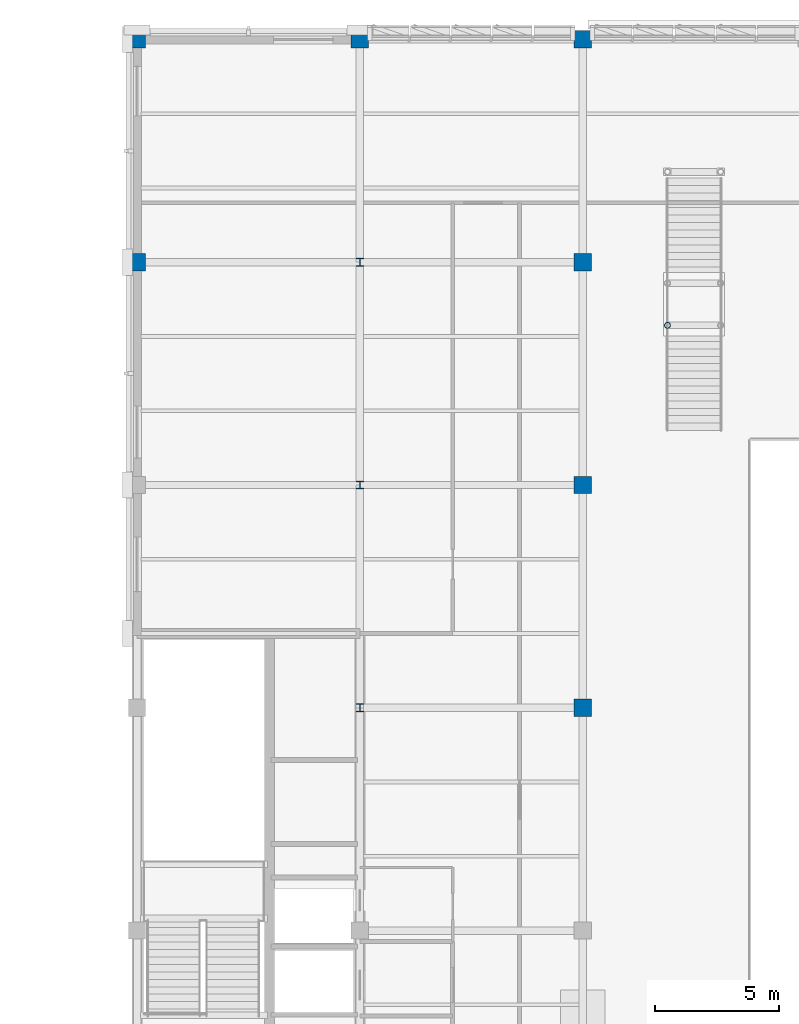
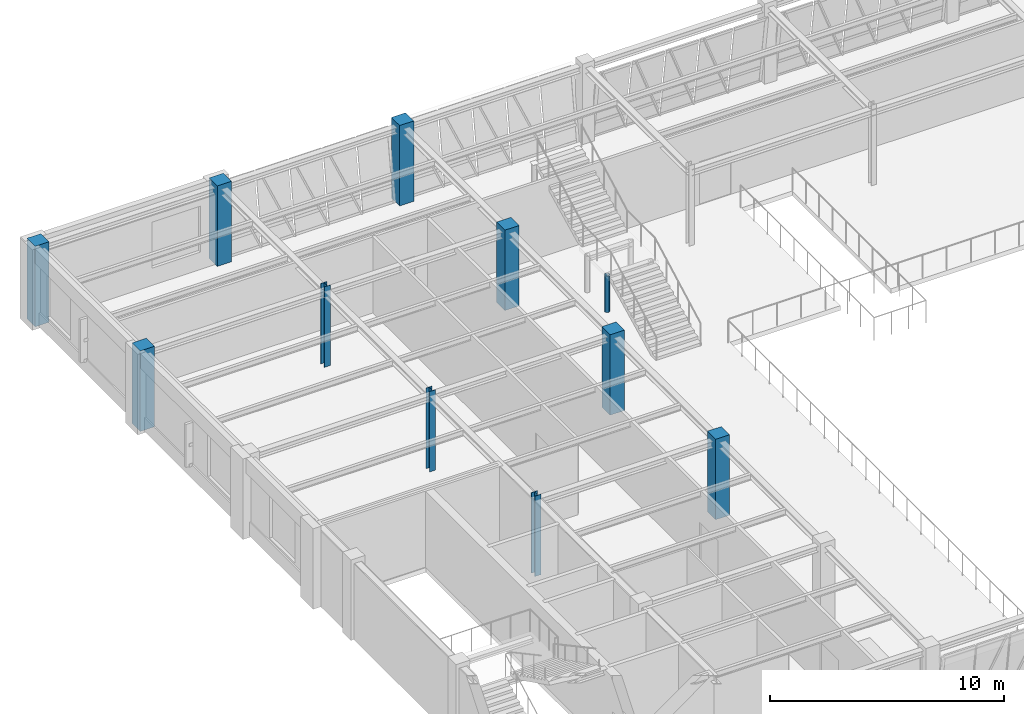
# One storey, part 8 of 108: 11 columns.
"""IFC4 building model written with IfcOpenShell, lengths in metres."""

import ifcopenshell
import ifcopenshell.guid

model = None  # the IFC model being written
_history = None  # IfcOwnerHistory: only IFC2X3 demands one
_inside = {}  # id of a spatial element -> (the spatial element, [elements in it])
_under = {}  # id of a project, library or spatial element -> (it, [spatial elements below it])
_declared = {}  # id of a project -> (the project, [libraries it declares])
_typed = {}  # id of a type object -> (the type object, [elements of that type])
_made_of = {}  # id of a material, layer set ... -> (it, [elements and type objects made of it])


def new_model(schema):
    """Start an empty IFC model of exactly this schema.

    Asked for "IFC4X3", IfcOpenShell would pick the latest addendum, in which some entities
    have other attributes; the version numbers below select the first issue.
    IFC2X3 requires an IfcOwnerHistory on every rooted entity: one is made here for all.
    """
    global model, _history
    if schema == "IFC4X3":
        model = ifcopenshell.file(schema_version=(4, 3, 0, 0))
    else:
        model = ifcopenshell.file(schema=schema)
    _inside.clear()
    _under.clear()
    _declared.clear()
    _typed.clear()
    _made_of.clear()
    _history = None
    if model.schema == "IFC2X3":
        org = make("IfcOrganization", Name="unknown")
        user = make(
            "IfcPersonAndOrganization",
            ThePerson=make("IfcPerson", FamilyName="unknown"),
            TheOrganization=org,
        )
        app = make(
            "IfcApplication",
            ApplicationDeveloper=org,
            Version="unknown",
            ApplicationFullName="unknown",
            ApplicationIdentifier="unknown",
        )
        _history = make(
            "IfcOwnerHistory",
            OwningUser=user,
            OwningApplication=app,
            ChangeAction="ADDED",
            CreationDate=0,
        )
    return model


def make(cls, **values):
    """One entity of the class cls with the attributes given. An attribute that is None is left unset."""
    return model.create_entity(
        cls, **{name: value for name, value in values.items() if value is not None}
    )


def rooted(cls, **values):
    """An entity with a GlobalId (a new one), such as an element, a storey or a relation."""
    return make(cls, GlobalId=ifcopenshell.guid.new(), OwnerHistory=_history, **values)


def si_unit(unit_type, name, prefix=None):
    """IfcSIUnit, for example si_unit("LENGTHUNIT", "METRE", prefix="MILLI")."""
    return make("IfcSIUnit", UnitType=unit_type, Prefix=prefix, Name=name)


def assignment(units):
    """IfcUnitAssignment: the units of a project."""
    return None if units is None else make("IfcUnitAssignment", Units=units)


def point(xyz):
    """IfcCartesianPoint."""
    return None if xyz is None else make("IfcCartesianPoint", Coordinates=xyz)


def direction(xyz):
    """IfcDirection."""
    return None if xyz is None else make("IfcDirection", DirectionRatios=xyz)


def frame(location, z_axis=None, x_axis=None):
    """IfcAxis2Placement3D, a coordinate frame: its origin and axes. An axis left out is left unset."""
    return make(
        "IfcAxis2Placement3D",
        Location=point(location),
        Axis=direction(z_axis),
        RefDirection=direction(x_axis),
    )


def frame_2d(location, x_axis=None):
    """IfcAxis2Placement2D, a coordinate frame in the plane: its origin and x axis."""
    return make(
        "IfcAxis2Placement2D", Location=point(location), RefDirection=direction(x_axis)
    )


def origin():
    """The frame at (0, 0, 0) with its axes left unset."""
    return frame((0.0, 0.0, 0.0))


def origin_2d():
    """The frame at (0, 0) in the plane with its x axis left unset."""
    return frame_2d((0.0, 0.0))


def place(relative_to, where):
    """IfcLocalPlacement: puts the frame where relative to a parent placement (None: the world)."""
    return make(
        "IfcLocalPlacement", PlacementRelTo=relative_to, RelativePlacement=where
    )


def context(
    kind, dimensions, precision=None, world=None, true_north=None, identifier=None
):
    """IfcGeometricRepresentationContext, for example the 3D "Model" context."""
    return make(
        "IfcGeometricRepresentationContext",
        ContextIdentifier=identifier,
        ContextType=kind,
        CoordinateSpaceDimension=dimensions,
        Precision=precision,
        WorldCoordinateSystem=world,
        TrueNorth=true_north,
    )


def subcontext(parent, identifier, kind, view, scale=None):
    """IfcGeometricRepresentationSubContext, for example "Body" below "Model"."""
    return make(
        "IfcGeometricRepresentationSubContext",
        ContextIdentifier=identifier,
        ContextType=kind,
        ParentContext=parent,
        TargetScale=scale,
        TargetView=view,
    )


def project(units=None, contexts=None):
    """IfcProject with its units and contexts."""
    return rooted(
        "IfcProject",
        Name="project",
        RepresentationContexts=contexts,
        UnitsInContext=assignment(units),
    )


def spatial(cls, under=None, at=None, **own):
    """A site, building, storey or space (cls), placed at a placement, below another one or the project."""
    s = rooted(cls, ObjectPlacement=at, **own)
    if under is not None:
        _under.setdefault(under.id(), (under, []))[1].append(s)
    return s


def profile(cls, at=None, kind="AREA", **sizes):
    """A parametric profile (cls). Its sizes go by their IFC names, for example OverallWidth=200.0."""
    return make(cls, ProfileType=kind, Position=at, **sizes)


def rectangle(**sizes):
    """IfcRectangleProfileDef."""
    return profile("IfcRectangleProfileDef", **sizes)


def hollow_circle(**sizes):
    """IfcCircleHollowProfileDef."""
    return profile("IfcCircleHollowProfileDef", **sizes)


def i_section(**sizes):
    """IfcIShapeProfileDef."""
    return profile("IfcIShapeProfileDef", **sizes)


def extrude(swept, where, along, depth):
    """IfcExtrudedAreaSolid: the profile swept, set in the frame where, extruded along a direction by depth."""
    return make(
        "IfcExtrudedAreaSolid",
        SweptArea=swept,
        Position=where,
        ExtrudedDirection=direction(along),
        Depth=depth,
    )


def shape(context_of_items, identifier, shape_type, items):
    """IfcShapeRepresentation: the items that make up one representation, for example the "Body"."""
    return make(
        "IfcShapeRepresentation",
        ContextOfItems=context_of_items,
        RepresentationIdentifier=identifier,
        RepresentationType=shape_type,
        Items=items,
    )


def material(Name=None, Category=None):
    """IfcMaterial."""
    return make("IfcMaterial", Name=Name, Category=Category)


def material_profile(
    of_material, cross_section, Name=None, Category=None, Priority=None
):
    """IfcMaterialProfile: a cross section and its material."""
    return make(
        "IfcMaterialProfile",
        Name=Name,
        Material=of_material,
        Profile=cross_section,
        Priority=Priority,
        Category=Category,
    )


def profile_set(profiles, Name=None, composite=None):
    """IfcMaterialProfileSet."""
    return make(
        "IfcMaterialProfileSet",
        Name=Name,
        MaterialProfiles=profiles,
        CompositeProfile=composite,
    )


def made_of(thing, what):
    """Note that an element or type object is made of a material, layer set ...; save() writes the relation."""
    if what is not None:
        _made_of.setdefault(what.id(), (what, []))[1].append(thing)
    return thing


def type_object(cls, material=None, **own):
    """A type object (cls), such as IfcWallType, which elements share."""
    return made_of(rooted(cls, **own), material)


def element(
    cls,
    number,
    at=None,
    inside=None,
    cuts=None,
    type_object=None,
    material=None,
    context=None,
    identifier="Body",
    shape_type=None,
    held_by="IfcProductDefinitionShape",
    body=None,
    shapes=None,
    **own,
):
    """One element of the class cls, such as IfcWall. Its Tag is "e" and its number.

    at: its placement. inside: the storey or other place that contains it. cuts: it is an
    opening in that element (IfcRelVoidsElement). A single representation is given by context,
    identifier, shape_type and body (its items); several are given by shapes. held_by: the class
    of the entity that holds the representations. save() writes the other relations.
    """
    e = rooted(cls, Tag="e%d" % number, ObjectPlacement=at, **own)
    if body is not None:
        shapes = [shape(context, identifier, shape_type, body)]
    if shapes is not None:
        e.Representation = make(held_by, Representations=shapes)
    if inside is not None:
        _inside.setdefault(inside.id(), (inside, []))[1].append(e)
    if cuts is not None:
        rooted(
            "IfcRelVoidsElement", RelatingBuildingElement=cuts, RelatedOpeningElement=e
        )
    if type_object is not None:
        _typed.setdefault(type_object.id(), (type_object, []))[1].append(e)
    return made_of(e, material)


def aggregate(whole, parts):
    """IfcRelAggregates: a whole, such as a stair, and the parts it consists of."""
    return rooted("IfcRelAggregates", RelatingObject=whole, RelatedObjects=parts)


def save(model, path):
    """Write the relations noted so far, then the file.

    IfcRelAggregates (storeys below a building ...), IfcRelContainedInSpatialStructure (elements
    in a storey), IfcRelDefinesByType, IfcRelAssociatesMaterial and IfcRelDeclares: one each for
    every whole, place, type object, material and project.
    """
    for whole, parts in _under.values():
        aggregate(whole, parts)
    for where, things in _inside.values():
        rooted(
            "IfcRelContainedInSpatialStructure",
            RelatedElements=things,
            RelatingStructure=where,
        )
    for kind, things in _typed.values():
        rooted("IfcRelDefinesByType", RelatedObjects=things, RelatingType=kind)
    for what, things in _made_of.values():
        rooted("IfcRelAssociatesMaterial", RelatedObjects=things, RelatingMaterial=what)
    for by, libraries in _declared.values():
        rooted("IfcRelDeclares", RelatingContext=by, RelatedDefinitions=libraries)
    model.write(path)


model = new_model("IFC4")

# Units and contexts
model_context = context("Model", 3, precision=1e-05, world=origin(), true_north=direction((0.0, 1.0)))
body_context = subcontext(model_context, "Body", "Model", "MODEL_VIEW")
ifc_project = project(units=[si_unit("LENGTHUNIT", "METRE"), si_unit("AREAUNIT", "SQUARE_METRE"), si_unit("VOLUMEUNIT", "CUBIC_METRE"), si_unit("PLANEANGLEUNIT", "RADIAN"), si_unit("MASSUNIT", "GRAM", prefix="KILO")], contexts=[model_context])

# Site, building, storey
site_placement = place(None, origin())
site = spatial("IfcSite", under=ifc_project, at=site_placement, CompositionType="ELEMENT")
building_placement = place(site_placement, origin())
building = spatial("IfcBuilding", under=site, at=building_placement, Name="Lykobir Media Centre", CompositionType="ELEMENT")
storey_placement = place(building_placement, frame((0.0, 0.0, 15.0)))
storey = spatial("IfcBuildingStorey", under=building, at=storey_placement, Name="L03", CompositionType="ELEMENT", Elevation=15.0)

# Columns
ifc_material_1 = material(Name="Concrete C40/50", Category="concrete")
ifc_material_profile_1 = material_profile(ifc_material_1, rectangle(XDim=0.699951171875, YDim=0.699951171875, at=origin_2d()), Name="RC 700x700")
ifc_profile_set_1 = profile_set([ifc_material_profile_1], Name="Concrete C40/50")
column_type_1 = type_object("IfcColumnType", Name="RC-C700", PredefinedType="COLUMN", material=ifc_profile_set_1)
for number, where, z_axis, x_axis, name in (
    (1, (27.0, 99.0, 0.0), (0.0, 0.0, 1.0), (1.0, 0.0, 0.0), "Column COL-L03-0270-0990"),
    (2, (45.0, 81.0, 0.0), (0.0, 0.0, 1.0), (1.0, 0.0, 0.0), "Column COL-L03-0450-0810"),
    (3, (45.0, 90.0, 0.0), (0.0, 0.0, 1.0), (1.0, 0.0, 0.0), "Column COL-L03-0450-0900"),
    (4, (45.0, 99.0, 0.0), (0.0, 0.0, 1.0), (1.0, 0.0, 0.0), "Column COL-L03-0450-0990"),
):
    element("IfcColumn", number, at=place(storey_placement, frame(where, z_axis=z_axis, x_axis=x_axis)), inside=storey, type_object=column_type_1, Name=name, PredefinedType="COLUMN", context=body_context, shape_type="SweptSolid", body=[
        extrude(rectangle(XDim=0.699951171875, YDim=0.699951171875, at=origin_2d()), origin(), (0.0, 0.0, 1.0), 4.199951171875),
    ])
ifc_material_profile_2 = material_profile(ifc_material_1, rectangle(XDim=0.699951171875, YDim=0.699951171875, at=origin_2d()), Name="RC 700x700")
ifc_profile_set_2 = profile_set([ifc_material_profile_2], Name="Concrete C40/50")
column_type_2 = type_object("IfcColumnType", Name="RC-C700-E", PredefinedType="COLUMN", material=ifc_profile_set_2)
for number, where, z_axis, x_axis, name in (
    (5, (27.0, 108.0, 0.0), (0.0, 0.0, 1.0), (1.0, 0.0, 0.0), "Column COL-L03-0270-1080"),
    (6, (36.0, 108.0, 0.0), (0.0, 0.0, 1.0), (1.0, 0.0, 0.0), "Column COL-L03-0360-1080"),
    (7, (45.0, 108.0, 0.0), (0.0, 0.0, 1.0), (1.0, 0.0, 0.0), "Column COL-L03-0450-1080"),
):
    element("IfcColumn", number, at=place(storey_placement, frame(where, z_axis=z_axis, x_axis=x_axis)), inside=storey, type_object=column_type_2, Name=name, PredefinedType="COLUMN", context=body_context, shape_type="SweptSolid", body=[
        extrude(rectangle(XDim=0.699951171875, YDim=0.699951171875, at=origin_2d()), origin(), (0.0, 0.0, 1.0), 4.199951171875),
    ])
ifc_material_2 = material(Name="Steel S355", Category="steel")
ifc_material_profile_3 = material_profile(ifc_material_2, hollow_circle(Radius=0.122314453125, WallThickness=0.012451171875, at=origin_2d()), Name="CHS 244.5x12.5")
ifc_profile_set_3 = profile_set([ifc_material_profile_3], Name="Steel S355")
column_type_3 = type_object("IfcColumnType", Name="SC-CHS244", PredefinedType="COLUMN", material=ifc_profile_set_3)
column_placement = place(storey_placement, frame((48.425048828125, 96.449951171875, 0.0), z_axis=(0.0, 0.0, 1.0), x_axis=(1.0, 0.0, 0.0)))
element("IfcColumn", 8, at=column_placement, inside=storey, type_object=column_type_3, Name="Valley stair column L03 4-484-964", PredefinedType="COLUMN", context=body_context, shape_type="SweptSolid", body=[
    extrude(hollow_circle(Radius=0.122314453125, WallThickness=0.012451171875, at=origin_2d()), origin(), (0.0, 0.0, 1.0), 1.89501953125),
])
ifc_material_profile_4 = material_profile(ifc_material_2, i_section(OverallWidth=0.300048828125, OverallDepth=0.320068359375, WebThickness=0.011474609375, FlangeThickness=0.0205078125, at=origin_2d()), Name="HEB 320")
ifc_profile_set_4 = profile_set([ifc_material_profile_4], Name="Steel S355")
column_type_4 = type_object("IfcColumnType", Name="SC-HEB320", PredefinedType="COLUMN", material=ifc_profile_set_4)
for number, where, z_axis, x_axis, name in (
    (9, (36.0, 81.0, 0.0), (0.0, 0.0, 1.0), (1.0, 0.0, 0.0), "Column COL-L03-0360-0810"),
    (10, (36.0, 90.0, 0.0), (0.0, 0.0, 1.0), (1.0, 0.0, 0.0), "Column COL-L03-0360-0900"),
    (11, (36.0, 99.0, 0.0), (0.0, 0.0, 1.0), (1.0, 0.0, 0.0), "Column COL-L03-0360-0990"),
):
    element("IfcColumn", number, at=place(storey_placement, frame(where, z_axis=z_axis, x_axis=x_axis)), inside=storey, type_object=column_type_4, Name=name, PredefinedType="COLUMN", context=body_context, shape_type="SweptSolid", body=[
        extrude(i_section(OverallWidth=0.300048828125, OverallDepth=0.320068359375, WebThickness=0.011474609375, FlangeThickness=0.0205078125, at=origin_2d()), origin(), (0.0, 0.0, 1.0), 4.199951171875),
    ])

save(model, "model.ifc")
